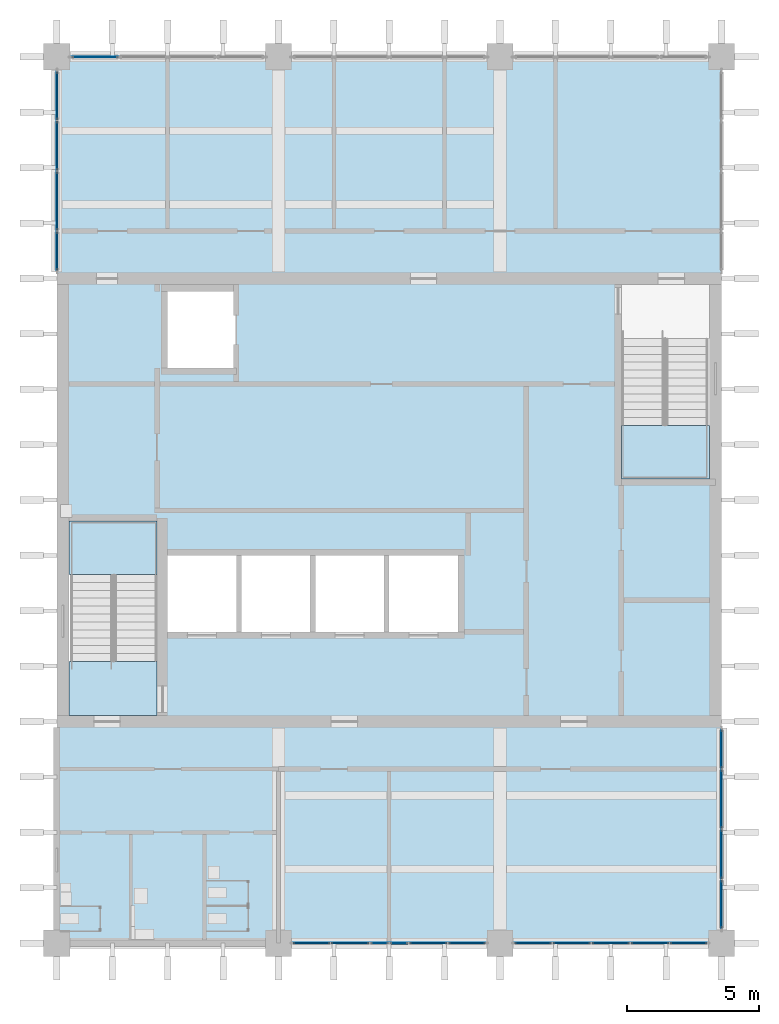
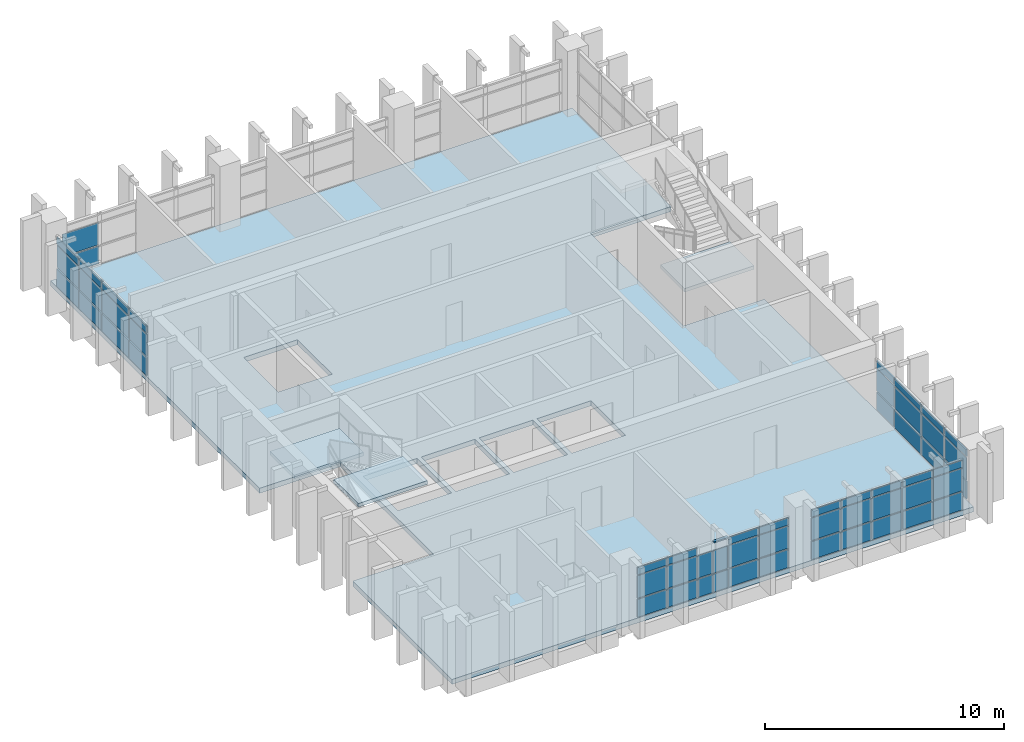
# One storey, part 5 of 11: 57 plates, 4 slabs, 1 member, 7 elements without a shape of their own.
"""IFC4 building model written with IfcOpenShell, lengths in metres."""

from ifc_helpers import new_model, si_unit, direction, frame, origin, origin_2d, place, context, subcontext, project, spatial, polyline, rectangle, outline, extrude, material, layer, layer_set, material_profile, profile_set, type_object, element, aggregate, save


model = new_model("IFC4")

# Units and contexts
model_context = context("Model", 3, precision=1e-05, world=origin(), true_north=direction((0.0, 1.0)))
body_context = subcontext(model_context, "Body", "Model", "MODEL_VIEW")
ifc_project = project(units=[si_unit("LENGTHUNIT", "METRE"), si_unit("AREAUNIT", "SQUARE_METRE"), si_unit("VOLUMEUNIT", "CUBIC_METRE"), si_unit("PLANEANGLEUNIT", "RADIAN"), si_unit("MASSUNIT", "GRAM", prefix="KILO")], contexts=[model_context])

# Site, building, storey
site_placement = place(None, origin())
site = spatial("IfcSite", under=ifc_project, at=site_placement, CompositionType="ELEMENT")
building_placement = place(site_placement, origin())
building = spatial("IfcBuilding", under=site, at=building_placement, Name="Rulbaag Community and Learning Centre", CompositionType="ELEMENT")
storey_placement = place(building_placement, frame((0.0, 0.0, 18.0)))
storey = spatial("IfcBuildingStorey", under=building, at=storey_placement, Name="L04", CompositionType="ELEMENT", Elevation=18.0)

# Curtain wall, member, plates
ifc_material_1 = material(Name="Aluminium", Category="aluminium")
ifc_layer_1 = layer(ifc_material_1, 0.14990234375)
ifc_layer_set_1 = layer_set([ifc_layer_1], Name="CW-S")
curtain_wall_type_1 = type_object("IfcCurtainWallType", Name="CW-S", PredefinedType="USERDEFINED", material=ifc_layer_set_1)
curtain_wall_1_placement = place(storey_placement, origin())
curtain_wall_1 = element("IfcCurtainWall", 1, at=curtain_wall_1_placement, inside=storey, type_object=curtain_wall_type_1, Name="GS-L04-01", ObjectType="UNITISED CURTAIN WALL", PredefinedType="USERDEFINED")
ifc_material_2 = material(Name="Aluminium transom", Category="aluminium")
ifc_material_profile = material_profile(ifc_material_2, rectangle(XDim=0.125, YDim=0.06005859375, at=origin_2d()), Name="AL 60x125 T")
ifc_profile_set = profile_set([ifc_material_profile], Name="Aluminium transom")
member_type = type_object("IfcMemberType", Name="CW-S-TRN", PredefinedType="USERDEFINED", material=ifc_profile_set)
member_placement = place(storey_placement, frame((155.429931640625, 84.0, 2.6201171875), z_axis=(1.0, 0.0, 0.0), x_axis=(0.0, 1.0, 0.0)))
member = element("IfcMember", 2, at=member_placement, type_object=member_type, Name="GS transom 4.4", ObjectType="TRANSOM", PredefinedType="USERDEFINED", context=body_context, shape_type="SweptSolid", body=[
    extrude(rectangle(XDim=0.125, YDim=0.06005859375, at=origin_2d()), origin(), (0.0, 0.0, 1.0), 0.68017578125),
])
ifc_layer_2 = layer(ifc_material_1, 0.054931640625)
ifc_layer_set_2 = layer_set([ifc_layer_2], Name="CW-S-SPN")
plate_type_1 = type_object("IfcPlateType", Name="CW-S-SPN", PredefinedType="CURTAIN_PANEL", material=ifc_layer_set_2)
plate_1_placement = place(storey_placement, frame((152.455078125, 84.0, 0.06005859375), z_axis=(0.0, 0.0, 1.0), x_axis=(1.0, 0.0, 0.0)))
plate_1 = element("IfcPlate", 3, at=plate_1_placement, type_object=plate_type_1, Name="GS spandrel panel", PredefinedType="CURTAIN_PANEL", context=body_context, shape_type="SweptSolid", body=[
    extrude(rectangle(XDim=1.389892578125, YDim=0.054931640625, at=origin_2d()), origin(), (0.0, 0.0, 1.0), 0.909912109375),
])
plate_2_placement = place(storey_placement, frame((152.455078125, 84.0, 2.22998046875), z_axis=(0.0, 0.0, 1.0), x_axis=(1.0, 0.0, 0.0)))
plate_2 = element("IfcPlate", 4, at=plate_2_placement, type_object=plate_type_1, Name="GS spandrel panel", PredefinedType="CURTAIN_PANEL", context=body_context, shape_type="SweptSolid", body=[
    extrude(rectangle(XDim=1.389892578125, YDim=0.054931640625, at=origin_2d()), origin(), (0.0, 0.0, 1.0), 0.360107421875),
])
plate_3_placement = place(storey_placement, frame((153.919921875, 84.0, 0.06005859375), z_axis=(0.0, 0.0, 1.0), x_axis=(1.0, 0.0, 0.0)))
plate_3 = element("IfcPlate", 5, at=plate_3_placement, type_object=plate_type_1, Name="GS spandrel panel", PredefinedType="CURTAIN_PANEL", context=body_context, shape_type="SweptSolid", body=[
    extrude(rectangle(XDim=1.419921875, YDim=0.054931640625, at=origin_2d()), origin(), (0.0, 0.0, 1.0), 0.909912109375),
])
plate_4_placement = place(storey_placement, frame((153.919921875, 84.0, 2.22998046875), z_axis=(0.0, 0.0, 1.0), x_axis=(1.0, 0.0, 0.0)))
plate_4 = element("IfcPlate", 6, at=plate_4_placement, type_object=plate_type_1, Name="GS spandrel panel", PredefinedType="CURTAIN_PANEL", context=body_context, shape_type="SweptSolid", body=[
    extrude(rectangle(XDim=1.419921875, YDim=0.054931640625, at=origin_2d()), origin(), (0.0, 0.0, 1.0), 0.360107421875),
])
plate_5_placement = place(storey_placement, frame((155.030029296875, 84.0, 0.06005859375), z_axis=(0.0, 0.0, 1.0), x_axis=(1.0, 0.0, 0.0)))
plate_5 = element("IfcPlate", 7, at=plate_5_placement, type_object=plate_type_1, Name="GS spandrel panel", PredefinedType="CURTAIN_PANEL", context=body_context, shape_type="SweptSolid", body=[
    extrude(rectangle(XDim=0.679931640625, YDim=0.054931640625, at=origin_2d()), origin(), (0.0, 0.0, 1.0), 0.909912109375),
])
plate_6_placement = place(storey_placement, frame((155.77001953125, 84.0, 0.06005859375), z_axis=(0.0, 0.0, 1.0), x_axis=(1.0, 0.0, 0.0)))
plate_6 = element("IfcPlate", 8, at=plate_6_placement, type_object=plate_type_1, Name="GS spandrel panel", PredefinedType="CURTAIN_PANEL", context=body_context, shape_type="SweptSolid", body=[
    extrude(rectangle(XDim=0.679931640625, YDim=0.054931640625, at=origin_2d()), origin(), (0.0, 0.0, 1.0), 0.909912109375),
])
plate_7_placement = place(storey_placement, frame((156.8798828125, 84.0, 0.06005859375), z_axis=(0.0, 0.0, 1.0), x_axis=(1.0, 0.0, 0.0)))
plate_7 = element("IfcPlate", 9, at=plate_7_placement, type_object=plate_type_1, Name="GS spandrel panel", PredefinedType="CURTAIN_PANEL", context=body_context, shape_type="SweptSolid", body=[
    extrude(rectangle(XDim=1.419921875, YDim=0.054931640625, at=origin_2d()), origin(), (0.0, 0.0, 1.0), 0.909912109375),
])
plate_8_placement = place(storey_placement, frame((156.8798828125, 84.0, 2.22998046875), z_axis=(0.0, 0.0, 1.0), x_axis=(1.0, 0.0, 0.0)))
plate_8 = element("IfcPlate", 10, at=plate_8_placement, type_object=plate_type_1, Name="GS spandrel panel", PredefinedType="CURTAIN_PANEL", context=body_context, shape_type="SweptSolid", body=[
    extrude(rectangle(XDim=1.419921875, YDim=0.054931640625, at=origin_2d()), origin(), (0.0, 0.0, 1.0), 0.360107421875),
])
plate_9_placement = place(storey_placement, frame((158.344970703125, 84.0, 0.06005859375), z_axis=(0.0, 0.0, 1.0), x_axis=(1.0, 0.0, 0.0)))
plate_9 = element("IfcPlate", 11, at=plate_9_placement, type_object=plate_type_1, Name="GS spandrel panel", PredefinedType="CURTAIN_PANEL", context=body_context, shape_type="SweptSolid", body=[
    extrude(rectangle(XDim=1.389892578125, YDim=0.054931640625, at=origin_2d()), origin(), (0.0, 0.0, 1.0), 0.909912109375),
])
plate_10_placement = place(storey_placement, frame((158.344970703125, 84.0, 2.22998046875), z_axis=(0.0, 0.0, 1.0), x_axis=(1.0, 0.0, 0.0)))
plate_10 = element("IfcPlate", 12, at=plate_10_placement, type_object=plate_type_1, Name="GS spandrel panel", PredefinedType="CURTAIN_PANEL", context=body_context, shape_type="SweptSolid", body=[
    extrude(rectangle(XDim=1.389892578125, YDim=0.054931640625, at=origin_2d()), origin(), (0.0, 0.0, 1.0), 0.360107421875),
])

# Curtain wall, plates
curtain_wall_2_placement = place(storey_placement, origin())
curtain_wall_2 = element("IfcCurtainWall", 13, at=curtain_wall_2_placement, inside=storey, type_object=curtain_wall_type_1, Name="GS-L04-02", ObjectType="UNITISED CURTAIN WALL", PredefinedType="USERDEFINED")
plate_11_placement = place(storey_placement, frame((160.85498046875, 84.0, 0.06005859375), z_axis=(0.0, 0.0, 1.0), x_axis=(1.0, 0.0, 0.0)))
plate_11 = element("IfcPlate", 14, at=plate_11_placement, type_object=plate_type_1, Name="GS spandrel panel", PredefinedType="CURTAIN_PANEL", context=body_context, shape_type="SweptSolid", body=[
    extrude(rectangle(XDim=1.389892578125, YDim=0.054931640625, at=origin_2d()), origin(), (0.0, 0.0, 1.0), 0.909912109375),
])
plate_12_placement = place(storey_placement, frame((160.85498046875, 84.0, 2.22998046875), z_axis=(0.0, 0.0, 1.0), x_axis=(1.0, 0.0, 0.0)))
plate_12 = element("IfcPlate", 15, at=plate_12_placement, type_object=plate_type_1, Name="GS spandrel panel", PredefinedType="CURTAIN_PANEL", context=body_context, shape_type="SweptSolid", body=[
    extrude(rectangle(XDim=1.389892578125, YDim=0.054931640625, at=origin_2d()), origin(), (0.0, 0.0, 1.0), 0.360107421875),
])
plate_13_placement = place(storey_placement, frame((162.320068359375, 84.0, 0.06005859375), z_axis=(0.0, 0.0, 1.0), x_axis=(1.0, 0.0, 0.0)))
plate_13 = element("IfcPlate", 16, at=plate_13_placement, type_object=plate_type_1, Name="GS spandrel panel", PredefinedType="CURTAIN_PANEL", context=body_context, shape_type="SweptSolid", body=[
    extrude(rectangle(XDim=1.419921875, YDim=0.054931640625, at=origin_2d()), origin(), (0.0, 0.0, 1.0), 0.909912109375),
])
plate_14_placement = place(storey_placement, frame((162.320068359375, 84.0, 2.22998046875), z_axis=(0.0, 0.0, 1.0), x_axis=(1.0, 0.0, 0.0)))
plate_14 = element("IfcPlate", 17, at=plate_14_placement, type_object=plate_type_1, Name="GS spandrel panel", PredefinedType="CURTAIN_PANEL", context=body_context, shape_type="SweptSolid", body=[
    extrude(rectangle(XDim=1.419921875, YDim=0.054931640625, at=origin_2d()), origin(), (0.0, 0.0, 1.0), 0.360107421875),
])
plate_15_placement = place(storey_placement, frame((163.800048828125, 84.0, 0.06005859375), z_axis=(0.0, 0.0, 1.0), x_axis=(1.0, 0.0, 0.0)))
plate_15 = element("IfcPlate", 18, at=plate_15_placement, type_object=plate_type_1, Name="GS spandrel panel", PredefinedType="CURTAIN_PANEL", context=body_context, shape_type="SweptSolid", body=[
    extrude(rectangle(XDim=1.419921875, YDim=0.054931640625, at=origin_2d()), origin(), (0.0, 0.0, 1.0), 0.909912109375),
])
plate_16_placement = place(storey_placement, frame((163.800048828125, 84.0, 2.22998046875), z_axis=(0.0, 0.0, 1.0), x_axis=(1.0, 0.0, 0.0)))
plate_16 = element("IfcPlate", 19, at=plate_16_placement, type_object=plate_type_1, Name="GS spandrel panel", PredefinedType="CURTAIN_PANEL", context=body_context, shape_type="SweptSolid", body=[
    extrude(rectangle(XDim=1.419921875, YDim=0.054931640625, at=origin_2d()), origin(), (0.0, 0.0, 1.0), 0.360107421875),
])
plate_17_placement = place(storey_placement, frame((165.280029296875, 84.0, 0.06005859375), z_axis=(0.0, 0.0, 1.0), x_axis=(1.0, 0.0, 0.0)))
plate_17 = element("IfcPlate", 20, at=plate_17_placement, type_object=plate_type_1, Name="GS spandrel panel", PredefinedType="CURTAIN_PANEL", context=body_context, shape_type="SweptSolid", body=[
    extrude(rectangle(XDim=1.419921875, YDim=0.054931640625, at=origin_2d()), origin(), (0.0, 0.0, 1.0), 0.909912109375),
])
plate_18_placement = place(storey_placement, frame((165.280029296875, 84.0, 2.22998046875), z_axis=(0.0, 0.0, 1.0), x_axis=(1.0, 0.0, 0.0)))
plate_18 = element("IfcPlate", 21, at=plate_18_placement, type_object=plate_type_1, Name="GS spandrel panel", PredefinedType="CURTAIN_PANEL", context=body_context, shape_type="SweptSolid", body=[
    extrude(rectangle(XDim=1.419921875, YDim=0.054931640625, at=origin_2d()), origin(), (0.0, 0.0, 1.0), 0.360107421875),
])
plate_19_placement = place(storey_placement, frame((166.7451171875, 84.0, 0.06005859375), z_axis=(0.0, 0.0, 1.0), x_axis=(1.0, 0.0, 0.0)))
plate_19 = element("IfcPlate", 22, at=plate_19_placement, type_object=plate_type_1, Name="GS spandrel panel", PredefinedType="CURTAIN_PANEL", context=body_context, shape_type="SweptSolid", body=[
    extrude(rectangle(XDim=1.389892578125, YDim=0.054931640625, at=origin_2d()), origin(), (0.0, 0.0, 1.0), 0.909912109375),
])
plate_20_placement = place(storey_placement, frame((166.7451171875, 84.0, 2.22998046875), z_axis=(0.0, 0.0, 1.0), x_axis=(1.0, 0.0, 0.0)))
plate_20 = element("IfcPlate", 23, at=plate_20_placement, type_object=plate_type_1, Name="GS spandrel panel", PredefinedType="CURTAIN_PANEL", context=body_context, shape_type="SweptSolid", body=[
    extrude(rectangle(XDim=1.389892578125, YDim=0.054931640625, at=origin_2d()), origin(), (0.0, 0.0, 1.0), 0.360107421875),
])

# Plate
ifc_material_3 = material(Name="Glass", Category="glass")
ifc_layer_3 = layer(ifc_material_3, 0.030029296875)
ifc_layer_set_3 = layer_set([ifc_layer_3], Name="CW-S-VIS")
plate_type_2 = type_object("IfcPlateType", Name="CW-S-VIS", PredefinedType="CURTAIN_PANEL", material=ifc_layer_set_3)
plate_21_placement = place(storey_placement, frame((152.455078125, 84.0, 1.0302734375), z_axis=(0.0, 0.0, 1.0), x_axis=(1.0, 0.0, 0.0)))
plate_21 = element("IfcPlate", 24, at=plate_21_placement, type_object=plate_type_2, Name="GS vision panel", PredefinedType="CURTAIN_PANEL", context=body_context, shape_type="SweptSolid", body=[
    extrude(rectangle(XDim=1.389892578125, YDim=0.030029296875, at=origin_2d()), origin(), (0.0, 0.0, 1.0), 1.139892578125),
])

plate_22_placement = place(storey_placement, frame((153.919921875, 84.0, 1.0302734375), z_axis=(0.0, 0.0, 1.0), x_axis=(1.0, 0.0, 0.0)))
plate_22 = element("IfcPlate", 25, at=plate_22_placement, type_object=plate_type_2, Name="GS vision panel", PredefinedType="CURTAIN_PANEL", context=body_context, shape_type="SweptSolid", body=[
    extrude(rectangle(XDim=1.419921875, YDim=0.030029296875, at=origin_2d()), origin(), (0.0, 0.0, 1.0), 1.139892578125),
])

plate_23_placement = place(storey_placement, frame((155.030029296875, 84.0, 1.0302734375), z_axis=(0.0, 0.0, 1.0), x_axis=(1.0, 0.0, 0.0)))
plate_23 = element("IfcPlate", 26, at=plate_23_placement, type_object=plate_type_2, Name="GS vision panel", PredefinedType="CURTAIN_PANEL", context=body_context, shape_type="SweptSolid", body=[
    extrude(rectangle(XDim=0.679931640625, YDim=0.030029296875, at=origin_2d()), origin(), (0.0, 0.0, 1.0), 1.139892578125),
])

plate_24_placement = place(storey_placement, frame((155.77001953125, 84.0, 1.0302734375), z_axis=(0.0, 0.0, 1.0), x_axis=(1.0, 0.0, 0.0)))
plate_24 = element("IfcPlate", 27, at=plate_24_placement, type_object=plate_type_2, Name="GS vision panel", PredefinedType="CURTAIN_PANEL", context=body_context, shape_type="SweptSolid", body=[
    extrude(rectangle(XDim=0.679931640625, YDim=0.030029296875, at=origin_2d()), origin(), (0.0, 0.0, 1.0), 1.139892578125),
])

plate_25_placement = place(storey_placement, frame((156.8798828125, 84.0, 1.0302734375), z_axis=(0.0, 0.0, 1.0), x_axis=(1.0, 0.0, 0.0)))
plate_25 = element("IfcPlate", 28, at=plate_25_placement, type_object=plate_type_2, Name="GS vision panel", PredefinedType="CURTAIN_PANEL", context=body_context, shape_type="SweptSolid", body=[
    extrude(rectangle(XDim=1.419921875, YDim=0.030029296875, at=origin_2d()), origin(), (0.0, 0.0, 1.0), 1.139892578125),
])

plate_26_placement = place(storey_placement, frame((158.344970703125, 84.0, 1.0302734375), z_axis=(0.0, 0.0, 1.0), x_axis=(1.0, 0.0, 0.0)))
plate_26 = element("IfcPlate", 29, at=plate_26_placement, type_object=plate_type_2, Name="GS vision panel", PredefinedType="CURTAIN_PANEL", context=body_context, shape_type="SweptSolid", body=[
    extrude(rectangle(XDim=1.389892578125, YDim=0.030029296875, at=origin_2d()), origin(), (0.0, 0.0, 1.0), 1.139892578125),
])

aggregate(curtain_wall_1, [plate_1, plate_21, plate_2, plate_3, plate_22, plate_4, plate_5, plate_23, member, plate_6, plate_24, plate_7, plate_25, plate_8, plate_9, plate_26, plate_10])

plate_27_placement = place(storey_placement, frame((160.85498046875, 84.0, 1.0302734375), z_axis=(0.0, 0.0, 1.0), x_axis=(1.0, 0.0, 0.0)))
plate_27 = element("IfcPlate", 30, at=plate_27_placement, type_object=plate_type_2, Name="GS vision panel", PredefinedType="CURTAIN_PANEL", context=body_context, shape_type="SweptSolid", body=[
    extrude(rectangle(XDim=1.389892578125, YDim=0.030029296875, at=origin_2d()), origin(), (0.0, 0.0, 1.0), 1.139892578125),
])

plate_28_placement = place(storey_placement, frame((162.320068359375, 84.0, 1.0302734375), z_axis=(0.0, 0.0, 1.0), x_axis=(1.0, 0.0, 0.0)))
plate_28 = element("IfcPlate", 31, at=plate_28_placement, type_object=plate_type_2, Name="GS vision panel", PredefinedType="CURTAIN_PANEL", context=body_context, shape_type="SweptSolid", body=[
    extrude(rectangle(XDim=1.419921875, YDim=0.030029296875, at=origin_2d()), origin(), (0.0, 0.0, 1.0), 1.139892578125),
])

plate_29_placement = place(storey_placement, frame((163.800048828125, 84.0, 1.0302734375), z_axis=(0.0, 0.0, 1.0), x_axis=(1.0, 0.0, 0.0)))
plate_29 = element("IfcPlate", 32, at=plate_29_placement, type_object=plate_type_2, Name="GS vision panel", PredefinedType="CURTAIN_PANEL", context=body_context, shape_type="SweptSolid", body=[
    extrude(rectangle(XDim=1.419921875, YDim=0.030029296875, at=origin_2d()), origin(), (0.0, 0.0, 1.0), 1.139892578125),
])

plate_30_placement = place(storey_placement, frame((165.280029296875, 84.0, 1.0302734375), z_axis=(0.0, 0.0, 1.0), x_axis=(1.0, 0.0, 0.0)))
plate_30 = element("IfcPlate", 33, at=plate_30_placement, type_object=plate_type_2, Name="GS vision panel", PredefinedType="CURTAIN_PANEL", context=body_context, shape_type="SweptSolid", body=[
    extrude(rectangle(XDim=1.419921875, YDim=0.030029296875, at=origin_2d()), origin(), (0.0, 0.0, 1.0), 1.139892578125),
])

plate_31_placement = place(storey_placement, frame((166.7451171875, 84.0, 1.0302734375), z_axis=(0.0, 0.0, 1.0), x_axis=(1.0, 0.0, 0.0)))
plate_31 = element("IfcPlate", 34, at=plate_31_placement, type_object=plate_type_2, Name="GS vision panel", PredefinedType="CURTAIN_PANEL", context=body_context, shape_type="SweptSolid", body=[
    extrude(rectangle(XDim=1.389892578125, YDim=0.030029296875, at=origin_2d()), origin(), (0.0, 0.0, 1.0), 1.139892578125),
])

aggregate(curtain_wall_2, [plate_11, plate_27, plate_12, plate_13, plate_28, plate_14, plate_15, plate_29, plate_16, plate_17, plate_30, plate_18, plate_19, plate_31, plate_20])

# Curtain wall, plate
ifc_layer_4 = layer(ifc_material_1, 0.14990234375)
ifc_layer_set_4 = layer_set([ifc_layer_4], Name="CW-T")
curtain_wall_type_2 = type_object("IfcCurtainWallType", Name="CW-T", PredefinedType="USERDEFINED", material=ifc_layer_set_4)
curtain_wall_3_placement = place(storey_placement, origin())
curtain_wall_3 = element("IfcCurtainWall", 35, at=curtain_wall_3_placement, inside=storey, type_object=curtain_wall_type_2, Name="GT-L04-01", ObjectType="UNITISED CURTAIN WALL", PredefinedType="USERDEFINED")
ifc_layer_5 = layer(ifc_material_1, 0.06005859375)
ifc_layer_set_5 = layer_set([ifc_layer_5], Name="CW-T-SPN")
plate_type_3 = type_object("IfcPlateType", Name="CW-T-SPN", PredefinedType="CURTAIN_PANEL", material=ifc_layer_set_5)
plate_32_placement = place(storey_placement, frame((144.2412109375, 117.60009765625, 0.06494140625), z_axis=(0.0, 0.0, 1.0), x_axis=(1.0, 0.0, 0.0)))
plate_32 = element("IfcPlate", 36, at=plate_32_placement, type_object=plate_type_3, Name="GT spandrel panel", PredefinedType="CURTAIN_PANEL", context=body_context, shape_type="SweptSolid", body=[
    extrude(rectangle(XDim=1.75244140625, YDim=0.06005859375, at=origin_2d()), origin(), (0.0, 0.0, 1.0), 0.902587890625),
])

# Curtain wall, plates
curtain_wall_4_placement = place(storey_placement, origin())
curtain_wall_4 = element("IfcCurtainWall", 37, at=curtain_wall_4_placement, inside=storey, type_object=curtain_wall_type_2, Name="GT-L04-04", ObjectType="UNITISED CURTAIN WALL", PredefinedType="USERDEFINED")
plate_33_placement = place(storey_placement, frame((142.800048828125, 110.2412109375, 0.06494140625), z_axis=(0.0, 0.0, 1.0), x_axis=(0.0, 1.0, 0.0)))
plate_33 = element("IfcPlate", 38, at=plate_33_placement, type_object=plate_type_3, Name="GT spandrel panel", PredefinedType="CURTAIN_PANEL", context=body_context, shape_type="SweptSolid", body=[
    extrude(rectangle(XDim=1.452392578125, YDim=0.06005859375, at=origin_2d()), origin(), (0.0, 0.0, 1.0), 0.902587890625),
])
plate_34_placement = place(storey_placement, frame((142.800048828125, 110.2412109375, 2.232421875), z_axis=(0.0, 0.0, 1.0), x_axis=(0.0, 1.0, 0.0)))
plate_34 = element("IfcPlate", 39, at=plate_34_placement, type_object=plate_type_3, Name="GT spandrel panel", PredefinedType="CURTAIN_PANEL", context=body_context, shape_type="SweptSolid", body=[
    extrude(rectangle(XDim=1.452392578125, YDim=0.06005859375, at=origin_2d()), origin(), (0.0, 0.0, 1.0), 0.3525390625),
])
plate_35_placement = place(storey_placement, frame((142.800048828125, 112.137451171875, 0.06494140625), z_axis=(0.0, 0.0, 1.0), x_axis=(0.0, 1.0, 0.0)))
plate_35 = element("IfcPlate", 40, at=plate_35_placement, type_object=plate_type_3, Name="GT spandrel panel", PredefinedType="CURTAIN_PANEL", context=body_context, shape_type="SweptSolid", body=[
    extrude(rectangle(XDim=2.2099609375, YDim=0.06005859375, at=origin_2d()), origin(), (0.0, 0.0, 1.0), 0.902587890625),
])
plate_36_placement = place(storey_placement, frame((142.800048828125, 112.137451171875, 2.232421875), z_axis=(0.0, 0.0, 1.0), x_axis=(0.0, 1.0, 0.0)))
plate_36 = element("IfcPlate", 41, at=plate_36_placement, type_object=plate_type_3, Name="GT spandrel panel", PredefinedType="CURTAIN_PANEL", context=body_context, shape_type="SweptSolid", body=[
    extrude(rectangle(XDim=2.2099609375, YDim=0.06005859375, at=origin_2d()), origin(), (0.0, 0.0, 1.0), 0.3525390625),
])
plate_37_placement = place(storey_placement, frame((142.800048828125, 114.231201171875, 0.06494140625), z_axis=(0.0, 0.0, 1.0), x_axis=(0.0, 1.0, 0.0)))
plate_37 = element("IfcPlate", 42, at=plate_37_placement, type_object=plate_type_3, Name="GT spandrel panel", PredefinedType="CURTAIN_PANEL", context=body_context, shape_type="SweptSolid", body=[
    extrude(rectangle(XDim=1.847412109375, YDim=0.06005859375, at=origin_2d()), origin(), (0.0, 0.0, 1.0), 0.902587890625),
])
plate_38_placement = place(storey_placement, frame((142.800048828125, 114.231201171875, 2.232421875), z_axis=(0.0, 0.0, 1.0), x_axis=(0.0, 1.0, 0.0)))
plate_38 = element("IfcPlate", 43, at=plate_38_placement, type_object=plate_type_3, Name="GT spandrel panel", PredefinedType="CURTAIN_PANEL", context=body_context, shape_type="SweptSolid", body=[
    extrude(rectangle(XDim=1.847412109375, YDim=0.06005859375, at=origin_2d()), origin(), (0.0, 0.0, 1.0), 0.3525390625),
])
plate_39_placement = place(storey_placement, frame((142.800048828125, 116.12744140625, 0.06494140625), z_axis=(0.0, 0.0, 1.0), x_axis=(0.0, 1.0, 0.0)))
plate_39 = element("IfcPlate", 44, at=plate_39_placement, type_object=plate_type_3, Name="GT spandrel panel", PredefinedType="CURTAIN_PANEL", context=body_context, shape_type="SweptSolid", body=[
    extrude(rectangle(XDim=1.81494140625, YDim=0.06005859375, at=origin_2d()), origin(), (0.0, 0.0, 1.0), 0.902587890625),
])
plate_40_placement = place(storey_placement, frame((142.800048828125, 116.12744140625, 2.232421875), z_axis=(0.0, 0.0, 1.0), x_axis=(0.0, 1.0, 0.0)))
plate_40 = element("IfcPlate", 45, at=plate_40_placement, type_object=plate_type_3, Name="GT spandrel panel", PredefinedType="CURTAIN_PANEL", context=body_context, shape_type="SweptSolid", body=[
    extrude(rectangle(XDim=1.81494140625, YDim=0.06005859375, at=origin_2d()), origin(), (0.0, 0.0, 1.0), 0.3525390625),
])

curtain_wall_5_placement = place(storey_placement, origin())
curtain_wall_5 = element("IfcCurtainWall", 46, at=curtain_wall_5_placement, inside=storey, type_object=curtain_wall_type_2, Name="GT-L04-05", ObjectType="UNITISED CURTAIN WALL", PredefinedType="USERDEFINED")
plate_41_placement = place(storey_placement, frame((168.0, 85.472412109375, 0.06494140625), z_axis=(0.0, 0.0, 1.0), x_axis=(0.0, 1.0, 0.0)))
plate_41 = element("IfcPlate", 47, at=plate_41_placement, type_object=plate_type_3, Name="GT spandrel panel", PredefinedType="CURTAIN_PANEL", context=body_context, shape_type="SweptSolid", body=[
    extrude(rectangle(XDim=1.81494140625, YDim=0.06005859375, at=origin_2d()), origin(), (0.0, 0.0, 1.0), 0.902587890625),
])
plate_42_placement = place(storey_placement, frame((168.0, 85.472412109375, 2.232421875), z_axis=(0.0, 0.0, 1.0), x_axis=(0.0, 1.0, 0.0)))
plate_42 = element("IfcPlate", 48, at=plate_42_placement, type_object=plate_type_3, Name="GT spandrel panel", PredefinedType="CURTAIN_PANEL", context=body_context, shape_type="SweptSolid", body=[
    extrude(rectangle(XDim=1.81494140625, YDim=0.06005859375, at=origin_2d()), origin(), (0.0, 0.0, 1.0), 0.3525390625),
])
plate_43_placement = place(storey_placement, frame((168.0, 87.36865234375, 0.06494140625), z_axis=(0.0, 0.0, 1.0), x_axis=(0.0, 1.0, 0.0)))
plate_43 = element("IfcPlate", 49, at=plate_43_placement, type_object=plate_type_3, Name="GT spandrel panel", PredefinedType="CURTAIN_PANEL", context=body_context, shape_type="SweptSolid", body=[
    extrude(rectangle(XDim=1.847412109375, YDim=0.06005859375, at=origin_2d()), origin(), (0.0, 0.0, 1.0), 0.902587890625),
])
plate_44_placement = place(storey_placement, frame((168.0, 87.36865234375, 2.232421875), z_axis=(0.0, 0.0, 1.0), x_axis=(0.0, 1.0, 0.0)))
plate_44 = element("IfcPlate", 50, at=plate_44_placement, type_object=plate_type_3, Name="GT spandrel panel", PredefinedType="CURTAIN_PANEL", context=body_context, shape_type="SweptSolid", body=[
    extrude(rectangle(XDim=1.847412109375, YDim=0.06005859375, at=origin_2d()), origin(), (0.0, 0.0, 1.0), 0.3525390625),
])
plate_45_placement = place(storey_placement, frame((168.0, 89.46240234375, 0.06494140625), z_axis=(0.0, 0.0, 1.0), x_axis=(0.0, 1.0, 0.0)))
plate_45 = element("IfcPlate", 51, at=plate_45_placement, type_object=plate_type_3, Name="GT spandrel panel", PredefinedType="CURTAIN_PANEL", context=body_context, shape_type="SweptSolid", body=[
    extrude(rectangle(XDim=2.2099609375, YDim=0.06005859375, at=origin_2d()), origin(), (0.0, 0.0, 1.0), 0.902587890625),
])
plate_46_placement = place(storey_placement, frame((168.0, 89.46240234375, 2.232421875), z_axis=(0.0, 0.0, 1.0), x_axis=(0.0, 1.0, 0.0)))
plate_46 = element("IfcPlate", 52, at=plate_46_placement, type_object=plate_type_3, Name="GT spandrel panel", PredefinedType="CURTAIN_PANEL", context=body_context, shape_type="SweptSolid", body=[
    extrude(rectangle(XDim=2.2099609375, YDim=0.06005859375, at=origin_2d()), origin(), (0.0, 0.0, 1.0), 0.3525390625),
])
plate_47_placement = place(storey_placement, frame((168.0, 91.358642578125, 0.06494140625), z_axis=(0.0, 0.0, 1.0), x_axis=(0.0, 1.0, 0.0)))
plate_47 = element("IfcPlate", 53, at=plate_47_placement, type_object=plate_type_3, Name="GT spandrel panel", PredefinedType="CURTAIN_PANEL", context=body_context, shape_type="SweptSolid", body=[
    extrude(rectangle(XDim=1.452392578125, YDim=0.06005859375, at=origin_2d()), origin(), (0.0, 0.0, 1.0), 0.902587890625),
])
plate_48_placement = place(storey_placement, frame((168.0, 91.358642578125, 2.232421875), z_axis=(0.0, 0.0, 1.0), x_axis=(0.0, 1.0, 0.0)))
plate_48 = element("IfcPlate", 54, at=plate_48_placement, type_object=plate_type_3, Name="GT spandrel panel", PredefinedType="CURTAIN_PANEL", context=body_context, shape_type="SweptSolid", body=[
    extrude(rectangle(XDim=1.452392578125, YDim=0.06005859375, at=origin_2d()), origin(), (0.0, 0.0, 1.0), 0.3525390625),
])

# Plate
ifc_layer_6 = layer(ifc_material_3, 0.028076171875)
ifc_layer_set_6 = layer_set([ifc_layer_6], Name="CW-T-VIS")
plate_type_4 = type_object("IfcPlateType", Name="CW-T-VIS", PredefinedType="CURTAIN_PANEL", material=ifc_layer_set_6)
plate_49_placement = place(storey_placement, frame((144.2412109375, 117.60009765625, 1.03271484375), z_axis=(0.0, 0.0, 1.0), x_axis=(1.0, 0.0, 0.0)))
plate_49 = element("IfcPlate", 55, at=plate_49_placement, type_object=plate_type_4, Name="GT vision panel", PredefinedType="CURTAIN_PANEL", context=body_context, shape_type="SweptSolid", body=[
    extrude(rectangle(XDim=1.75244140625, YDim=0.028076171875, at=origin_2d()), origin(), (0.0, 0.0, 1.0), 1.135009765625),
])

aggregate(curtain_wall_3, [plate_32, plate_49])

plate_50_placement = place(storey_placement, frame((142.800048828125, 110.2412109375, 1.03271484375), z_axis=(0.0, 0.0, 1.0), x_axis=(0.0, 1.0, 0.0)))
plate_50 = element("IfcPlate", 56, at=plate_50_placement, type_object=plate_type_4, Name="GT vision panel", PredefinedType="CURTAIN_PANEL", context=body_context, shape_type="SweptSolid", body=[
    extrude(rectangle(XDim=1.452392578125, YDim=0.028076171875, at=origin_2d()), origin(), (0.0, 0.0, 1.0), 1.135009765625),
])

plate_51_placement = place(storey_placement, frame((142.800048828125, 112.137451171875, 1.03271484375), z_axis=(0.0, 0.0, 1.0), x_axis=(0.0, 1.0, 0.0)))
plate_51 = element("IfcPlate", 57, at=plate_51_placement, type_object=plate_type_4, Name="GT vision panel", PredefinedType="CURTAIN_PANEL", context=body_context, shape_type="SweptSolid", body=[
    extrude(rectangle(XDim=2.2099609375, YDim=0.028076171875, at=origin_2d()), origin(), (0.0, 0.0, 1.0), 1.135009765625),
])

plate_52_placement = place(storey_placement, frame((142.800048828125, 114.231201171875, 1.03271484375), z_axis=(0.0, 0.0, 1.0), x_axis=(0.0, 1.0, 0.0)))
plate_52 = element("IfcPlate", 58, at=plate_52_placement, type_object=plate_type_4, Name="GT vision panel", PredefinedType="CURTAIN_PANEL", context=body_context, shape_type="SweptSolid", body=[
    extrude(rectangle(XDim=1.847412109375, YDim=0.028076171875, at=origin_2d()), origin(), (0.0, 0.0, 1.0), 1.135009765625),
])

plate_53_placement = place(storey_placement, frame((142.800048828125, 116.12744140625, 1.03271484375), z_axis=(0.0, 0.0, 1.0), x_axis=(0.0, 1.0, 0.0)))
plate_53 = element("IfcPlate", 59, at=plate_53_placement, type_object=plate_type_4, Name="GT vision panel", PredefinedType="CURTAIN_PANEL", context=body_context, shape_type="SweptSolid", body=[
    extrude(rectangle(XDim=1.81494140625, YDim=0.028076171875, at=origin_2d()), origin(), (0.0, 0.0, 1.0), 1.135009765625),
])

aggregate(curtain_wall_4, [plate_33, plate_50, plate_34, plate_35, plate_51, plate_36, plate_37, plate_52, plate_38, plate_39, plate_53, plate_40])

plate_54_placement = place(storey_placement, frame((168.0, 85.472412109375, 1.03271484375), z_axis=(0.0, 0.0, 1.0), x_axis=(0.0, 1.0, 0.0)))
plate_54 = element("IfcPlate", 60, at=plate_54_placement, type_object=plate_type_4, Name="GT vision panel", PredefinedType="CURTAIN_PANEL", context=body_context, shape_type="SweptSolid", body=[
    extrude(rectangle(XDim=1.81494140625, YDim=0.028076171875, at=origin_2d()), origin(), (0.0, 0.0, 1.0), 1.135009765625),
])

plate_55_placement = place(storey_placement, frame((168.0, 87.36865234375, 1.03271484375), z_axis=(0.0, 0.0, 1.0), x_axis=(0.0, 1.0, 0.0)))
plate_55 = element("IfcPlate", 61, at=plate_55_placement, type_object=plate_type_4, Name="GT vision panel", PredefinedType="CURTAIN_PANEL", context=body_context, shape_type="SweptSolid", body=[
    extrude(rectangle(XDim=1.847412109375, YDim=0.028076171875, at=origin_2d()), origin(), (0.0, 0.0, 1.0), 1.135009765625),
])

plate_56_placement = place(storey_placement, frame((168.0, 89.46240234375, 1.03271484375), z_axis=(0.0, 0.0, 1.0), x_axis=(0.0, 1.0, 0.0)))
plate_56 = element("IfcPlate", 62, at=plate_56_placement, type_object=plate_type_4, Name="GT vision panel", PredefinedType="CURTAIN_PANEL", context=body_context, shape_type="SweptSolid", body=[
    extrude(rectangle(XDim=2.2099609375, YDim=0.028076171875, at=origin_2d()), origin(), (0.0, 0.0, 1.0), 1.135009765625),
])

plate_57_placement = place(storey_placement, frame((168.0, 91.358642578125, 1.03271484375), z_axis=(0.0, 0.0, 1.0), x_axis=(0.0, 1.0, 0.0)))
plate_57 = element("IfcPlate", 63, at=plate_57_placement, type_object=plate_type_4, Name="GT vision panel", PredefinedType="CURTAIN_PANEL", context=body_context, shape_type="SweptSolid", body=[
    extrude(rectangle(XDim=1.452392578125, YDim=0.028076171875, at=origin_2d()), origin(), (0.0, 0.0, 1.0), 1.135009765625),
])

aggregate(curtain_wall_5, [plate_41, plate_54, plate_42, plate_43, plate_55, plate_44, plate_45, plate_56, plate_46, plate_47, plate_57, plate_48])

# Stair, slabs
ifc_material_4 = material(Name="Concrete M40", Category="concrete")
stair_type = type_object("IfcStairType", Name="ST-1650 STAIR 1650 WIDE", PredefinedType="HALF_TURN_STAIR", material=ifc_material_4)
stair_1_placement = place(storey_placement, origin())
stair_1 = element("IfcStair", 64, at=stair_1_placement, inside=storey, type_object=stair_type, Name="Stair ST1 L04", PredefinedType="HALF_TURN_STAIR")
ifc_layer_7 = layer(ifc_material_4, 0.179931640625)
ifc_layer_set_7 = layer_set([ifc_layer_7], Name="LN-180 LANDING 180 Concrete M40")
slab_type_1 = type_object("IfcSlabType", Name="LN-180 LANDING 180 Concrete M40", PredefinedType="LANDING", material=ifc_layer_set_7)
slab_1_placement = place(storey_placement, frame((0.0, 0.0, 1.6201171875)))
slab_1 = element("IfcSlab", 65, at=slab_1_placement, type_object=slab_type_1, Name="ST1 landing 1", PredefinedType="LANDING", context=body_context, shape_type="SweptSolid", body=[
    extrude(outline(polyline([(143.25, 97.97509765625), (143.25, 100.0), (146.60009765625, 100.0), (146.60009765625, 97.97509765625), (143.25, 97.97509765625)])), origin(), (0.0, 0.0, 1.0), 0.179931640625),
])
slab_2_placement = place(storey_placement, frame((0.0, 0.0, 3.419921875)))
slab_2 = element("IfcSlab", 66, at=slab_2_placement, type_object=slab_type_1, Name="ST1 landing 2", PredefinedType="LANDING", context=body_context, shape_type="SweptSolid", body=[
    extrude(outline(polyline([(143.25, 92.625), (143.25, 94.675048828125), (146.60009765625, 94.675048828125), (146.60009765625, 92.625), (143.25, 92.625)])), origin(), (0.0, 0.0, 1.0), 0.18017578125),
])
aggregate(stair_1, [slab_1, slab_2])

# Stair, slab
stair_2_placement = place(storey_placement, origin())
stair_2 = element("IfcStair", 67, at=stair_2_placement, inside=storey, type_object=stair_type, Name="Stair ST2 L04", PredefinedType="HALF_TURN_STAIR")
slab_3_placement = place(storey_placement, frame((0.0, 0.0, 1.6201171875)))
slab_3 = element("IfcSlab", 68, at=slab_3_placement, type_object=slab_type_1, Name="ST2 landing 1", PredefinedType="LANDING", context=body_context, shape_type="SweptSolid", body=[
    extrude(outline(polyline([(164.199951171875, 101.60009765625), (164.199951171875, 103.625), (167.550048828125, 103.625), (167.550048828125, 101.60009765625), (164.199951171875, 101.60009765625)])), origin(), (0.0, 0.0, 1.0), 0.179931640625),
])
aggregate(stair_2, [slab_3])

# Slab
ifc_layer_8 = layer(ifc_material_4, 0.25)
ifc_layer_set_8 = layer_set([ifc_layer_8], Name="S10 Floor slab 250 Concrete M40")
slab_type_2 = type_object("IfcSlabType", Name="S10 Floor slab 250 Concrete M40", PredefinedType="FLOOR", material=ifc_layer_set_8)
slab_4_placement = place(storey_placement, frame((0.0, 0.0, -0.25)))
element("IfcSlab", 69, at=slab_4_placement, inside=storey, type_object=slab_type_2, Name="SL-L04-B01", PredefinedType="FLOOR", context=body_context, shape_type="SweptSolid", body=[
    extrude(outline(polyline([(142.800048828125, 84.0), (142.800048828125, 92.300048828125), (146.699951171875, 92.300048828125), (146.699951171875, 100.10009765625), (142.800048828125, 100.10009765625), (142.800048828125, 117.60009765625), (168.0, 117.60009765625), (168.0, 109.300048828125), (164.10009765625, 109.300048828125), (164.10009765625, 101.5), (168.0, 101.5), (168.0, 84.0), (142.800048828125, 84.0)]), holes=[polyline([(147.0, 95.800048828125), (149.60009765625, 95.800048828125), (149.60009765625, 98.699951171875), (147.0, 98.699951171875), (147.0, 95.800048828125)]), polyline([(149.800048828125, 95.800048828125), (152.39990234375, 95.800048828125), (152.39990234375, 98.699951171875), (149.800048828125, 98.699951171875), (149.800048828125, 95.800048828125)]), polyline([(152.60009765625, 95.800048828125), (155.199951171875, 95.800048828125), (155.199951171875, 98.699951171875), (152.60009765625, 98.699951171875), (152.60009765625, 95.800048828125)]), polyline([(155.39990234375, 95.800048828125), (158.0, 95.800048828125), (158.0, 98.699951171875), (155.39990234375, 98.699951171875), (155.39990234375, 95.800048828125)]), polyline([(147.0, 105.800048828125), (149.60009765625, 105.800048828125), (149.60009765625, 108.699951171875), (147.0, 108.699951171875), (147.0, 105.800048828125)])]), origin(), (0.0, 0.0, 1.0), 0.25),
])

save(model, "model.ifc")
